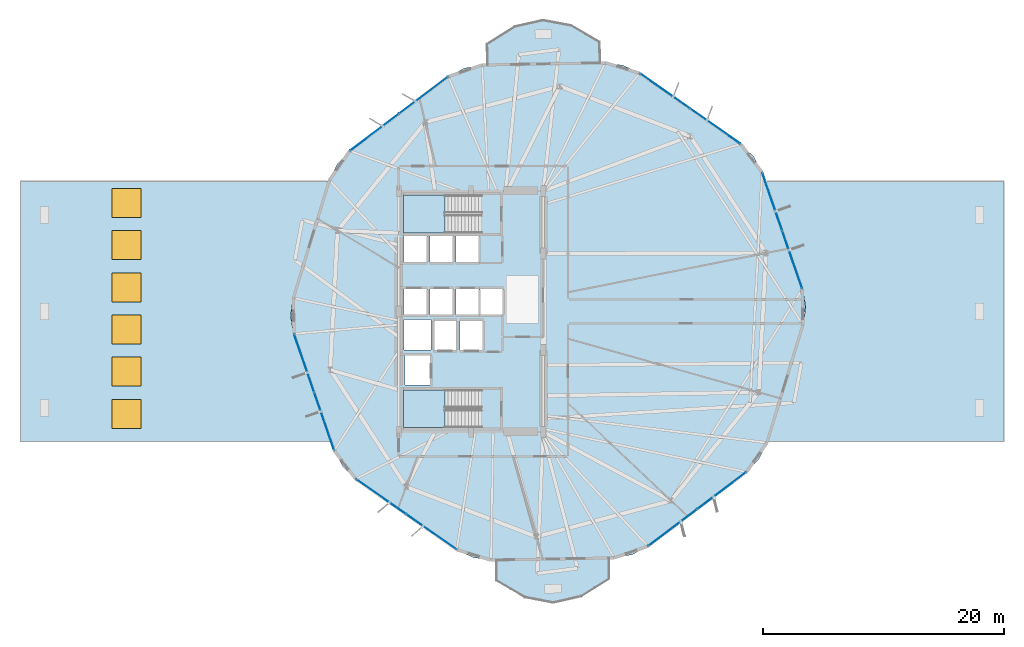
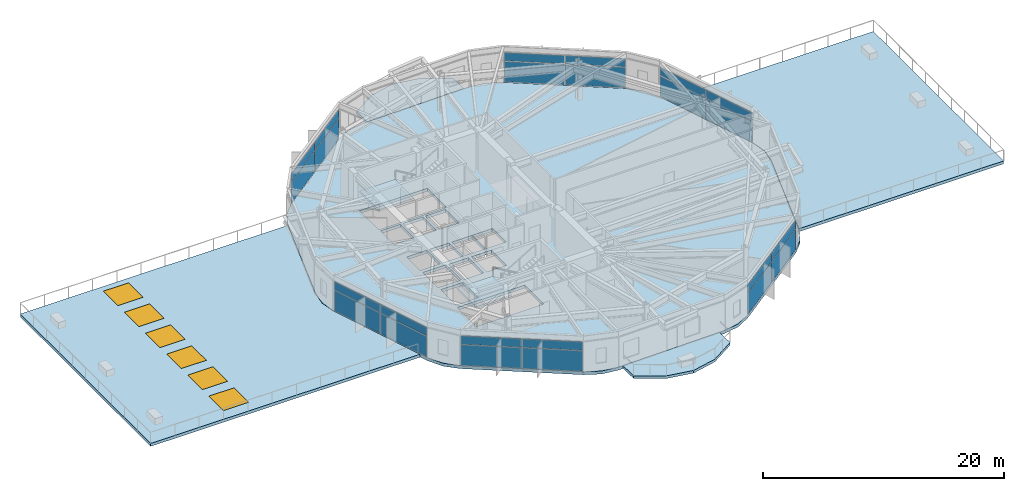
# One storey, part 16 of 23: 24 plates, 7 slabs, 6 windows, 6 openings, 8 elements without a shape of their own.
"""IFC4 building model written with IfcOpenShell, lengths in metres."""

from ifc_helpers import new_model, si_unit, direction, frame, origin, origin_2d, place, context, subcontext, project, spatial, polyline, rectangle, outline, extrude, material, layer, layer_set, type_object, element, fill, aggregate, save


model = new_model("IFC4")

# Units and contexts
model_context = context("Model", 3, precision=1e-05, world=origin(), true_north=direction((0.0, 1.0)))
body_context = subcontext(model_context, "Body", "Model", "MODEL_VIEW")
ifc_project = project(units=[si_unit("LENGTHUNIT", "METRE"), si_unit("AREAUNIT", "SQUARE_METRE"), si_unit("VOLUMEUNIT", "CUBIC_METRE"), si_unit("PLANEANGLEUNIT", "RADIAN"), si_unit("MASSUNIT", "GRAM", prefix="KILO")], contexts=[model_context])

# Site, building, storey
site_placement = place(None, origin())
site = spatial("IfcSite", under=ifc_project, at=site_placement, CompositionType="ELEMENT")
building_placement = place(site_placement, origin())
building = spatial("IfcBuilding", under=site, at=building_placement, Name="Soratama Intermodal Tower", CompositionType="ELEMENT")
storey_placement = place(building_placement, frame((0.0, 0.0, 30.60009765625)))
storey = spatial("IfcBuildingStorey", under=building, at=storey_placement, Name="L06", CompositionType="ELEMENT", Elevation=30.60009765625)

# Curtain wall, plates
ifc_material_1 = material(Name="Double-glazed aluminium curtain wall", Category="aluminium")
ifc_layer_1 = layer(ifc_material_1, 0.159912109375)
ifc_layer_set_1 = layer_set([ifc_layer_1], Name="Double-glazed aluminium curtain wall")
curtain_wall_type = type_object("IfcCurtainWallType", Name="CW-SYS-2", PredefinedType="NOTDEFINED", material=ifc_layer_set_1)
curtain_wall_1_placement = place(storey_placement, origin())
curtain_wall_1 = element("IfcCurtainWall", 1, at=curtain_wall_1_placement, inside=storey, type_object=curtain_wall_type, Name="L06 Faceted Curtain Wall F01", PredefinedType="NOTDEFINED")
ifc_material_2 = material(Name="Low-E laminated double glazing", Category="glass")
ifc_layer_2 = layer(ifc_material_2, 0.031982421875)
ifc_layer_set_2 = layer_set([ifc_layer_2], Name="Low-E laminated double glazing")
plate_type = type_object("IfcPlateType", Name="PT-CWP-2", PredefinedType="CURTAIN_PANEL", material=ifc_layer_set_2)
plate_1_placement = place(storey_placement, frame((65.25, 29.291015625, 0.059814453125), z_axis=(0.0, 0.0, 1.0), x_axis=(-0.325894283296, 0.945406217514, 0.0)))
plate_1 = element("IfcPlate", 2, at=plate_1_placement, type_object=plate_type, Name="CW-2 panel 1.1", PredefinedType="CURTAIN_PANEL", context=body_context, shape_type="SweptSolid", body=[
    extrude(rectangle(XDim=5.025146484375, YDim=0.028076171875, at=origin_2d()), origin(), (0.0, 0.0, 1.0), 2.06005859375),
])
plate_2_placement = place(storey_placement, frame((65.25, 29.291015625, 2.1796875), z_axis=(0.0, 0.0, 1.0), x_axis=(-0.325894283296, 0.945406217514, 0.0)))
plate_2 = element("IfcPlate", 3, at=plate_2_placement, type_object=plate_type, Name="CW-2 panel 1.2", PredefinedType="CURTAIN_PANEL", context=body_context, shape_type="SweptSolid", body=[
    extrude(rectangle(XDim=5.025146484375, YDim=0.028076171875, at=origin_2d()), origin(), (0.0, 0.0, 1.0), 0.839111328125),
])
plate_3_placement = place(storey_placement, frame((63.5927734375, 34.0986328125, 0.059814453125), z_axis=(0.0, 0.0, 1.0), x_axis=(-0.325894283296, 0.945406217514, 0.0)))
plate_3 = element("IfcPlate", 4, at=plate_3_placement, type_object=plate_type, Name="CW-2 panel 2.1", PredefinedType="CURTAIN_PANEL", context=body_context, shape_type="SweptSolid", body=[
    extrude(rectangle(XDim=5.025146484375, YDim=0.028076171875, at=origin_2d()), origin(), (0.0, 0.0, 1.0), 2.06005859375),
])
plate_4_placement = place(storey_placement, frame((63.5927734375, 34.0986328125, 2.1796875), z_axis=(0.0, 0.0, 1.0), x_axis=(-0.325894283296, 0.945406217514, 0.0)))
plate_4 = element("IfcPlate", 5, at=plate_4_placement, type_object=plate_type, Name="CW-2 panel 2.2", PredefinedType="CURTAIN_PANEL", context=body_context, shape_type="SweptSolid", body=[
    extrude(rectangle(XDim=5.025146484375, YDim=0.028076171875, at=origin_2d()), origin(), (0.0, 0.0, 1.0), 0.839111328125),
])
aggregate(curtain_wall_1, [plate_1, plate_2, plate_3, plate_4])

curtain_wall_2_placement = place(storey_placement, origin())
curtain_wall_2 = element("IfcCurtainWall", 6, at=curtain_wall_2_placement, inside=storey, type_object=curtain_wall_type, Name="L06 Faceted Curtain Wall F02", PredefinedType="NOTDEFINED")
plate_5_placement = place(storey_placement, frame((58.8603515625, 40.374267578125, 0.059814453125), z_axis=(0.0, 0.0, 1.0), x_axis=(-0.819348545893, 0.573295700615, 0.0)))
plate_5 = element("IfcPlate", 7, at=plate_5_placement, type_object=plate_type, Name="CW-2 panel 1.1", PredefinedType="CURTAIN_PANEL", context=body_context, shape_type="SweptSolid", body=[
    extrude(rectangle(XDim=5.025146484375, YDim=0.028076171875, at=origin_2d()), origin(), (0.0, 0.0, 1.0), 2.06005859375),
])
plate_6_placement = place(storey_placement, frame((58.8603515625, 40.374267578125, 2.1796875), z_axis=(0.0, 0.0, 1.0), x_axis=(-0.819348545893, 0.573295700615, 0.0)))
plate_6 = element("IfcPlate", 8, at=plate_6_placement, type_object=plate_type, Name="CW-2 panel 1.2", PredefinedType="CURTAIN_PANEL", context=body_context, shape_type="SweptSolid", body=[
    extrude(rectangle(XDim=5.025146484375, YDim=0.028076171875, at=origin_2d()), origin(), (0.0, 0.0, 1.0), 0.839111328125),
])
plate_7_placement = place(storey_placement, frame((54.69384765625, 43.28955078125, 0.059814453125), z_axis=(0.0, 0.0, 1.0), x_axis=(-0.819348545893, 0.573295700615, 0.0)))
plate_7 = element("IfcPlate", 9, at=plate_7_placement, type_object=plate_type, Name="CW-2 panel 2.1", PredefinedType="CURTAIN_PANEL", context=body_context, shape_type="SweptSolid", body=[
    extrude(rectangle(XDim=5.025146484375, YDim=0.028076171875, at=origin_2d()), origin(), (0.0, 0.0, 1.0), 2.06005859375),
])
plate_8_placement = place(storey_placement, frame((54.69384765625, 43.28955078125, 2.1796875), z_axis=(0.0, 0.0, 1.0), x_axis=(-0.819348545893, 0.573295700615, 0.0)))
plate_8 = element("IfcPlate", 10, at=plate_8_placement, type_object=plate_type, Name="CW-2 panel 2.2", PredefinedType="CURTAIN_PANEL", context=body_context, shape_type="SweptSolid", body=[
    extrude(rectangle(XDim=5.025146484375, YDim=0.028076171875, at=origin_2d()), origin(), (0.0, 0.0, 1.0), 0.839111328125),
])
aggregate(curtain_wall_2, [plate_5, plate_6, plate_7, plate_8])

curtain_wall_3_placement = place(storey_placement, origin())
curtain_wall_3 = element("IfcCurtainWall", 11, at=curtain_wall_3_placement, inside=storey, type_object=curtain_wall_type, Name="L06 Faceted Curtain Wall F04", PredefinedType="NOTDEFINED")
plate_9_placement = place(storey_placement, frame((34.661376953125, 42.932861328125, 0.059814453125), z_axis=(0.0, 0.0, 1.0), x_axis=(-0.798427816142, -0.602090543366, 0.0)))
plate_9 = element("IfcPlate", 12, at=plate_9_placement, type_object=plate_type, Name="CW-2 panel 1.1", PredefinedType="CURTAIN_PANEL", context=body_context, shape_type="SweptSolid", body=[
    extrude(rectangle(XDim=5.025146484375, YDim=0.028076171875, at=origin_2d()), origin(), (0.0, 0.0, 1.0), 2.06005859375),
])
plate_10_placement = place(storey_placement, frame((34.661376953125, 42.932861328125, 2.1796875), z_axis=(0.0, 0.0, 1.0), x_axis=(-0.798427816142, -0.602090543366, 0.0)))
plate_10 = element("IfcPlate", 13, at=plate_10_placement, type_object=plate_type, Name="CW-2 panel 1.2", PredefinedType="CURTAIN_PANEL", context=body_context, shape_type="SweptSolid", body=[
    extrude(rectangle(XDim=5.025146484375, YDim=0.028076171875, at=origin_2d()), origin(), (0.0, 0.0, 1.0), 0.839111328125),
])
plate_11_placement = place(storey_placement, frame((30.601318359375, 39.87109375, 0.059814453125), z_axis=(0.0, 0.0, 1.0), x_axis=(-0.798427816142, -0.602090543366, 0.0)))
plate_11 = element("IfcPlate", 14, at=plate_11_placement, type_object=plate_type, Name="CW-2 panel 2.1", PredefinedType="CURTAIN_PANEL", context=body_context, shape_type="SweptSolid", body=[
    extrude(rectangle(XDim=5.025146484375, YDim=0.028076171875, at=origin_2d()), origin(), (0.0, 0.0, 1.0), 2.06005859375),
])
plate_12_placement = place(storey_placement, frame((30.601318359375, 39.87109375, 2.1796875), z_axis=(0.0, 0.0, 1.0), x_axis=(-0.798427816142, -0.602090543366, 0.0)))
plate_12 = element("IfcPlate", 15, at=plate_12_placement, type_object=plate_type, Name="CW-2 panel 2.2", PredefinedType="CURTAIN_PANEL", context=body_context, shape_type="SweptSolid", body=[
    extrude(rectangle(XDim=5.025146484375, YDim=0.028076171875, at=origin_2d()), origin(), (0.0, 0.0, 1.0), 0.839111328125),
])
aggregate(curtain_wall_3, [plate_9, plate_10, plate_11, plate_12])

curtain_wall_4_placement = place(storey_placement, origin())
curtain_wall_4 = element("IfcCurtainWall", 16, at=curtain_wall_4_placement, inside=storey, type_object=curtain_wall_type, Name="L06 Faceted Curtain Wall F06", PredefinedType="NOTDEFINED")
plate_13_placement = place(storey_placement, frame((24.75, 20.708984375, 0.059814453125), z_axis=(0.0, 0.0, 1.0), x_axis=(0.325894283296, -0.945406217514, 0.0)))
plate_13 = element("IfcPlate", 17, at=plate_13_placement, type_object=plate_type, Name="CW-2 panel 1.1", PredefinedType="CURTAIN_PANEL", context=body_context, shape_type="SweptSolid", body=[
    extrude(rectangle(XDim=5.025146484375, YDim=0.028076171875, at=origin_2d()), origin(), (0.0, 0.0, 1.0), 2.06005859375),
])
plate_14_placement = place(storey_placement, frame((24.75, 20.708984375, 2.1796875), z_axis=(0.0, 0.0, 1.0), x_axis=(0.325894283296, -0.945406217514, 0.0)))
plate_14 = element("IfcPlate", 18, at=plate_14_placement, type_object=plate_type, Name="CW-2 panel 1.2", PredefinedType="CURTAIN_PANEL", context=body_context, shape_type="SweptSolid", body=[
    extrude(rectangle(XDim=5.025146484375, YDim=0.028076171875, at=origin_2d()), origin(), (0.0, 0.0, 1.0), 0.839111328125),
])
plate_15_placement = place(storey_placement, frame((26.4072265625, 15.9013671875, 0.059814453125), z_axis=(0.0, 0.0, 1.0), x_axis=(0.325894283296, -0.945406217514, 0.0)))
plate_15 = element("IfcPlate", 19, at=plate_15_placement, type_object=plate_type, Name="CW-2 panel 2.1", PredefinedType="CURTAIN_PANEL", context=body_context, shape_type="SweptSolid", body=[
    extrude(rectangle(XDim=5.025146484375, YDim=0.028076171875, at=origin_2d()), origin(), (0.0, 0.0, 1.0), 2.06005859375),
])
plate_16_placement = place(storey_placement, frame((26.4072265625, 15.9013671875, 2.1796875), z_axis=(0.0, 0.0, 1.0), x_axis=(0.325894283296, -0.945406217514, 0.0)))
plate_16 = element("IfcPlate", 20, at=plate_16_placement, type_object=plate_type, Name="CW-2 panel 2.2", PredefinedType="CURTAIN_PANEL", context=body_context, shape_type="SweptSolid", body=[
    extrude(rectangle(XDim=5.025146484375, YDim=0.028076171875, at=origin_2d()), origin(), (0.0, 0.0, 1.0), 0.839111328125),
])
aggregate(curtain_wall_4, [plate_13, plate_14, plate_15, plate_16])

curtain_wall_5_placement = place(storey_placement, origin())
curtain_wall_5 = element("IfcCurtainWall", 21, at=curtain_wall_5_placement, inside=storey, type_object=curtain_wall_type, Name="L06 Faceted Curtain Wall F07", PredefinedType="NOTDEFINED")
plate_17_placement = place(storey_placement, frame((31.1396484375, 9.625732421875, 0.059814453125), z_axis=(0.0, 0.0, 1.0), x_axis=(0.819348545893, -0.573295700615, 0.0)))
plate_17 = element("IfcPlate", 22, at=plate_17_placement, type_object=plate_type, Name="CW-2 panel 1.1", PredefinedType="CURTAIN_PANEL", context=body_context, shape_type="SweptSolid", body=[
    extrude(rectangle(XDim=5.025146484375, YDim=0.028076171875, at=origin_2d()), origin(), (0.0, 0.0, 1.0), 2.06005859375),
])
plate_18_placement = place(storey_placement, frame((31.1396484375, 9.625732421875, 2.1796875), z_axis=(0.0, 0.0, 1.0), x_axis=(0.819348545893, -0.573295700615, 0.0)))
plate_18 = element("IfcPlate", 23, at=plate_18_placement, type_object=plate_type, Name="CW-2 panel 1.2", PredefinedType="CURTAIN_PANEL", context=body_context, shape_type="SweptSolid", body=[
    extrude(rectangle(XDim=5.025146484375, YDim=0.028076171875, at=origin_2d()), origin(), (0.0, 0.0, 1.0), 0.839111328125),
])
plate_19_placement = place(storey_placement, frame((35.30615234375, 6.71044921875, 0.059814453125), z_axis=(0.0, 0.0, 1.0), x_axis=(0.819348545893, -0.573295700615, 0.0)))
plate_19 = element("IfcPlate", 24, at=plate_19_placement, type_object=plate_type, Name="CW-2 panel 2.1", PredefinedType="CURTAIN_PANEL", context=body_context, shape_type="SweptSolid", body=[
    extrude(rectangle(XDim=5.025146484375, YDim=0.028076171875, at=origin_2d()), origin(), (0.0, 0.0, 1.0), 2.06005859375),
])
plate_20_placement = place(storey_placement, frame((35.30615234375, 6.71044921875, 2.1796875), z_axis=(0.0, 0.0, 1.0), x_axis=(0.819348545893, -0.573295700615, 0.0)))
plate_20 = element("IfcPlate", 25, at=plate_20_placement, type_object=plate_type, Name="CW-2 panel 2.2", PredefinedType="CURTAIN_PANEL", context=body_context, shape_type="SweptSolid", body=[
    extrude(rectangle(XDim=5.025146484375, YDim=0.028076171875, at=origin_2d()), origin(), (0.0, 0.0, 1.0), 0.839111328125),
])
aggregate(curtain_wall_5, [plate_17, plate_18, plate_19, plate_20])

curtain_wall_6_placement = place(storey_placement, origin())
curtain_wall_6 = element("IfcCurtainWall", 26, at=curtain_wall_6_placement, inside=storey, type_object=curtain_wall_type, Name="L06 Faceted Curtain Wall F09", PredefinedType="NOTDEFINED")
plate_21_placement = place(storey_placement, frame((55.338623046875, 7.067138671875, 0.059814453125), z_axis=(0.0, 0.0, 1.0), x_axis=(0.798427816142, 0.602090543366, 0.0)))
plate_21 = element("IfcPlate", 27, at=plate_21_placement, type_object=plate_type, Name="CW-2 panel 1.1", PredefinedType="CURTAIN_PANEL", context=body_context, shape_type="SweptSolid", body=[
    extrude(rectangle(XDim=5.025146484375, YDim=0.028076171875, at=origin_2d()), origin(), (0.0, 0.0, 1.0), 2.06005859375),
])
plate_22_placement = place(storey_placement, frame((55.338623046875, 7.067138671875, 2.1796875), z_axis=(0.0, 0.0, 1.0), x_axis=(0.798427816142, 0.602090543366, 0.0)))
plate_22 = element("IfcPlate", 28, at=plate_22_placement, type_object=plate_type, Name="CW-2 panel 1.2", PredefinedType="CURTAIN_PANEL", context=body_context, shape_type="SweptSolid", body=[
    extrude(rectangle(XDim=5.025146484375, YDim=0.028076171875, at=origin_2d()), origin(), (0.0, 0.0, 1.0), 0.839111328125),
])
plate_23_placement = place(storey_placement, frame((59.398681640625, 10.12890625, 0.059814453125), z_axis=(0.0, 0.0, 1.0), x_axis=(0.798427816142, 0.602090543366, 0.0)))
plate_23 = element("IfcPlate", 29, at=plate_23_placement, type_object=plate_type, Name="CW-2 panel 2.1", PredefinedType="CURTAIN_PANEL", context=body_context, shape_type="SweptSolid", body=[
    extrude(rectangle(XDim=5.025146484375, YDim=0.028076171875, at=origin_2d()), origin(), (0.0, 0.0, 1.0), 2.06005859375),
])
plate_24_placement = place(storey_placement, frame((59.398681640625, 10.12890625, 2.1796875), z_axis=(0.0, 0.0, 1.0), x_axis=(0.798427816142, 0.602090543366, 0.0)))
plate_24 = element("IfcPlate", 30, at=plate_24_placement, type_object=plate_type, Name="CW-2 panel 2.2", PredefinedType="CURTAIN_PANEL", context=body_context, shape_type="SweptSolid", body=[
    extrude(rectangle(XDim=5.025146484375, YDim=0.028076171875, at=origin_2d()), origin(), (0.0, 0.0, 1.0), 0.839111328125),
])
aggregate(curtain_wall_6, [plate_21, plate_22, plate_23, plate_24])

# Slabs
ifc_material_3 = material(Name="Concrete f'c 42 MPa", Category="concrete")
ifc_layer_3 = layer(ifc_material_3, 0.27001953125)
ifc_layer_set_3 = layer_set([ifc_layer_3], Name="Concrete f'c 42 MPa")
slab_type_1 = type_object("IfcSlabType", Name="SL-EXT-BAL1", PredefinedType="FLOOR", material=ifc_layer_set_3)
slab_1_placement = place(storey_placement, frame((0.0, 0.0, -0.27001953125)))
element("IfcSlab", 31, at=slab_1_placement, inside=storey, type_object=slab_type_1, Name="L06 Planted Balcony North 1", PredefinedType="FLOOR", context=body_context, shape_type="SweptSolid", body=[
    extrude(outline(polyline([(49.298828125, 45.62255859375), (39.969970703125, 45.45654296875), (39.939208984375, 47.17626953125), (42.246337890625, 48.6328125), (44.56982421875, 49.158935546875), (46.910888671875, 48.7158203125), (49.268310546875, 47.34228515625), (49.298828125, 45.62255859375)])), origin(), (0.0, 0.0, 1.0), 0.27001953125),
])
slab_2_placement = place(storey_placement, frame((0.0, 0.0, -0.27001953125)))
element("IfcSlab", 32, at=slab_2_placement, inside=storey, type_object=slab_type_1, Name="L06 Planted Balcony South 2", PredefinedType="FLOOR", context=body_context, shape_type="SweptSolid", body=[
    extrude(outline(polyline([(40.701171875, 4.37744140625), (50.030029296875, 4.54345703125), (50.060791015625, 2.82373046875), (47.753662109375, 1.3671875), (45.43017578125, 0.841064453125), (43.089111328125, 1.2841796875), (40.731689453125, 2.65771484375), (40.701171875, 4.37744140625)])), origin(), (0.0, 0.0, 1.0), 0.27001953125),
])

# Slab, openings, windows
ifc_material_4 = material(Name="Concrete f'c 42 MPa", Category="concrete")
ifc_layer_4 = layer(ifc_material_4, 0.300048828125)
ifc_layer_set_4 = layer_set([ifc_layer_4], Name="Concrete f'c 42 MPa")
slab_type_2 = type_object("IfcSlabType", Name="SL-EXT-TERR", PredefinedType="FLOOR", material=ifc_layer_set_4)
slab_3_placement = place(storey_placement, frame((0.0, 0.0, -0.300048828125)))
slab_3 = element("IfcSlab", 33, at=slab_3_placement, inside=storey, type_object=slab_type_2, Name="L06 West Podium Roof Terrace", PredefinedType="FLOOR", context=body_context, shape_type="SweptSolid", body=[
    extrude(outline(polyline([(26.97265625, 14.199951171875), (23.89208984375, 23.137451171875), (23.630615234375, 24.622802734375), (23.83984375, 26.11279296875), (26.797607421875, 35.800048828125), (1.199951171875, 35.800048828125), (1.199951171875, 14.199951171875), (26.97265625, 14.199951171875)])), origin(), (0.0, 0.0, 1.0), 0.300048828125),
])
opening_1_placement = place(slab_3_placement, frame((10.0, 16.5, 0.0)))
opening_1 = element("IfcOpeningElement", 34, at=opening_1_placement, cuts=slab_3, Name="Opening SK-1", PredefinedType="OPENING", context=body_context, shape_type="SweptSolid", body=[
    extrude(rectangle(XDim=2.39990234375, YDim=2.39990234375, at=origin_2d()), origin(), (0.0, 0.0, 1.0), 0.300048828125),
])
opening_2_placement = place(slab_3_placement, frame((10.0, 20.0, 0.0)))
opening_2 = element("IfcOpeningElement", 35, at=opening_2_placement, cuts=slab_3, Name="Opening SK-1", PredefinedType="OPENING", context=body_context, shape_type="SweptSolid", body=[
    extrude(rectangle(XDim=2.39990234375, YDim=2.39990234375, at=origin_2d()), origin(), (0.0, 0.0, 1.0), 0.300048828125),
])
opening_3_placement = place(slab_3_placement, frame((10.0, 23.5, 0.0)))
opening_3 = element("IfcOpeningElement", 36, at=opening_3_placement, cuts=slab_3, Name="Opening SK-1", PredefinedType="OPENING", context=body_context, shape_type="SweptSolid", body=[
    extrude(rectangle(XDim=2.39990234375, YDim=2.39990234375, at=origin_2d()), origin(), (0.0, 0.0, 1.0), 0.300048828125),
])
opening_4_placement = place(slab_3_placement, frame((10.0, 27.0, 0.0)))
opening_4 = element("IfcOpeningElement", 37, at=opening_4_placement, cuts=slab_3, Name="Opening SK-1", PredefinedType="OPENING", context=body_context, shape_type="SweptSolid", body=[
    extrude(rectangle(XDim=2.39990234375, YDim=2.39990234375, at=origin_2d()), origin(), (0.0, 0.0, 1.0), 0.300048828125),
])
opening_5_placement = place(slab_3_placement, frame((10.0, 30.5, 0.0)))
opening_5 = element("IfcOpeningElement", 38, at=opening_5_placement, cuts=slab_3, Name="Opening SK-1", PredefinedType="OPENING", context=body_context, shape_type="SweptSolid", body=[
    extrude(rectangle(XDim=2.39990234375, YDim=2.39990234375, at=origin_2d()), origin(), (0.0, 0.0, 1.0), 0.300048828125),
])
opening_6_placement = place(slab_3_placement, frame((10.0, 34.0, 0.0)))
opening_6 = element("IfcOpeningElement", 39, at=opening_6_placement, cuts=slab_3, Name="Opening SK-1", PredefinedType="OPENING", context=body_context, shape_type="SweptSolid", body=[
    extrude(rectangle(XDim=2.39990234375, YDim=2.39990234375, at=origin_2d()), origin(), (0.0, 0.0, 1.0), 0.300048828125),
])
ifc_material_5 = material(Name="Double-glazed aluminium window", Category="aluminium")
window_type = type_object("IfcWindowType", Name="WN-SKY-2400", PartitioningType="SINGLE_PANEL", PredefinedType="SKYLIGHT", material=ifc_material_5)
window_1_placement = place(opening_1_placement, frame((0.0, 0.0, 0.25)))
window_1 = element("IfcWindow", 40, at=window_1_placement, inside=storey, type_object=window_type, Name="L06 Station Skylight 1", OverallHeight=2.39990234375, OverallWidth=2.39990234375, PartitioningType="SINGLE_PANEL", PredefinedType="SKYLIGHT", context=body_context, shape_type="SweptSolid", body=[
    extrude(rectangle(XDim=2.39990234375, YDim=2.39990234375, at=origin_2d()), origin(), (0.0, 0.0, 1.0), 0.050048828125),
])
fill(opening_1, window_1)
window_2_placement = place(opening_2_placement, frame((0.0, 0.0, 0.25)))
window_2 = element("IfcWindow", 41, at=window_2_placement, inside=storey, type_object=window_type, Name="L06 Station Skylight 2", OverallHeight=2.39990234375, OverallWidth=2.39990234375, PartitioningType="SINGLE_PANEL", PredefinedType="SKYLIGHT", context=body_context, shape_type="SweptSolid", body=[
    extrude(rectangle(XDim=2.39990234375, YDim=2.39990234375, at=origin_2d()), origin(), (0.0, 0.0, 1.0), 0.050048828125),
])
fill(opening_2, window_2)
window_3_placement = place(opening_3_placement, frame((0.0, 0.0, 0.25)))
window_3 = element("IfcWindow", 42, at=window_3_placement, inside=storey, type_object=window_type, Name="L06 Station Skylight 3", OverallHeight=2.39990234375, OverallWidth=2.39990234375, PartitioningType="SINGLE_PANEL", PredefinedType="SKYLIGHT", context=body_context, shape_type="SweptSolid", body=[
    extrude(rectangle(XDim=2.39990234375, YDim=2.39990234375, at=origin_2d()), origin(), (0.0, 0.0, 1.0), 0.050048828125),
])
fill(opening_3, window_3)
window_4_placement = place(opening_4_placement, frame((0.0, 0.0, 0.25)))
window_4 = element("IfcWindow", 43, at=window_4_placement, inside=storey, type_object=window_type, Name="L06 Station Skylight 4", OverallHeight=2.39990234375, OverallWidth=2.39990234375, PartitioningType="SINGLE_PANEL", PredefinedType="SKYLIGHT", context=body_context, shape_type="SweptSolid", body=[
    extrude(rectangle(XDim=2.39990234375, YDim=2.39990234375, at=origin_2d()), origin(), (0.0, 0.0, 1.0), 0.050048828125),
])
fill(opening_4, window_4)
window_5_placement = place(opening_5_placement, frame((0.0, 0.0, 0.25)))
window_5 = element("IfcWindow", 44, at=window_5_placement, inside=storey, type_object=window_type, Name="L06 Station Skylight 5", OverallHeight=2.39990234375, OverallWidth=2.39990234375, PartitioningType="SINGLE_PANEL", PredefinedType="SKYLIGHT", context=body_context, shape_type="SweptSolid", body=[
    extrude(rectangle(XDim=2.39990234375, YDim=2.39990234375, at=origin_2d()), origin(), (0.0, 0.0, 1.0), 0.050048828125),
])
fill(opening_5, window_5)
window_6_placement = place(opening_6_placement, frame((0.0, 0.0, 0.25)))
window_6 = element("IfcWindow", 45, at=window_6_placement, inside=storey, type_object=window_type, Name="L06 Station Skylight 6", OverallHeight=2.39990234375, OverallWidth=2.39990234375, PartitioningType="SINGLE_PANEL", PredefinedType="SKYLIGHT", context=body_context, shape_type="SweptSolid", body=[
    extrude(rectangle(XDim=2.39990234375, YDim=2.39990234375, at=origin_2d()), origin(), (0.0, 0.0, 1.0), 0.050048828125),
])
fill(opening_6, window_6)

# Slab
slab_4_placement = place(storey_placement, frame((0.0, 0.0, -0.300048828125)))
element("IfcSlab", 46, at=slab_4_placement, inside=storey, type_object=slab_type_2, Name="L06 East Podium Roof Terrace", PredefinedType="FLOOR", context=body_context, shape_type="SweptSolid", body=[
    extrude(outline(polyline([(63.02734375, 35.800048828125), (66.10791015625, 26.862548828125), (66.369384765625, 25.377197265625), (66.16015625, 23.88720703125), (63.202392578125, 14.199951171875), (82.800048828125, 14.199951171875), (82.800048828125, 35.800048828125), (63.02734375, 35.800048828125)])), origin(), (0.0, 0.0, 1.0), 0.300048828125),
])

# Stair, slab
ifc_material_6 = material(Name="Concrete f'c 42 MPa", Category="concrete")
stair_type = type_object("IfcStairType", Name="ST-CORE-DOGLEG", PredefinedType="HALF_TURN_STAIR", material=ifc_material_6)
stair_1_placement = place(storey_placement, origin())
stair_1 = element("IfcStair", 47, at=stair_1_placement, inside=storey, type_object=stair_type, Name="L06 ST-1", PredefinedType="HALF_TURN_STAIR")
ifc_material_7 = material(Name="Concrete f'c 42 MPa", Category="concrete")
ifc_layer_5 = layer(ifc_material_7, 0.219970703125)
ifc_layer_set_5 = layer_set([ifc_layer_5], Name="Concrete f'c 42 MPa")
slab_type_3 = type_object("IfcSlabType", Name="SL-STAIR-LAND", PredefinedType="LANDING", material=ifc_layer_set_5)
slab_5_placement = place(storey_placement, frame((0.0, 0.0, 1.7998046875)))
slab_5 = element("IfcSlab", 48, at=slab_5_placement, type_object=slab_type_3, Name="ST-1 landing 1", PredefinedType="LANDING", context=body_context, shape_type="SweptSolid", body=[
    extrude(outline(polyline([(36.419921875, 18.5), (33.0, 18.5), (33.0, 15.35009765625), (36.419921875, 15.35009765625), (36.419921875, 18.5)])), origin(), (0.0, 0.0, 1.0), 0.2001953125),
])
aggregate(stair_1, [slab_5])

stair_2_placement = place(storey_placement, origin())
stair_2 = element("IfcStair", 49, at=stair_2_placement, inside=storey, type_object=stair_type, Name="L06 ST-2", PredefinedType="HALF_TURN_STAIR")
slab_6_placement = place(storey_placement, frame((0.0, 0.0, 1.7998046875)))
slab_6 = element("IfcSlab", 50, at=slab_6_placement, type_object=slab_type_3, Name="ST-2 landing 1", PredefinedType="LANDING", context=body_context, shape_type="SweptSolid", body=[
    extrude(outline(polyline([(36.419921875, 34.64990234375), (33.0, 34.64990234375), (33.0, 31.5), (36.419921875, 31.5), (36.419921875, 34.64990234375)])), origin(), (0.0, 0.0, 1.0), 0.2001953125),
])
aggregate(stair_2, [slab_6])

# Slab
ifc_material_8 = material(Name="Concrete f'c 42 MPa", Category="concrete")
ifc_layer_6 = layer(ifc_material_8, 0.280029296875)
ifc_layer_set_6 = layer_set([ifc_layer_6], Name="Concrete f'c 42 MPa")
slab_type_4 = type_object("IfcSlabType", Name="SL-TWR-280", PredefinedType="FLOOR", material=ifc_layer_set_6)
slab_7_placement = place(storey_placement, frame((0.0, 0.0, -0.300048828125)))
element("IfcSlab", 51, at=slab_7_placement, inside=storey, type_object=slab_type_4, Name="L06 Structural Floor Slab", PredefinedType="FLOOR", context=body_context, shape_type="SweptSolid", body=[
    extrude(outline(polyline([(66.14111328125, 23.892822265625), (66.349609375, 25.380126953125), (66.08837890625, 26.85888671875), (62.75439453125, 36.53076171875), (62.048828125, 37.8564453125), (60.968017578125, 38.8994140625), (52.5859375, 44.764404296875), (51.23583984375, 45.422119140625), (49.748779296875, 45.630615234375), (39.52001953125, 45.448486328125), (38.041015625, 45.187255859375), (36.71533203125, 44.481689453125), (28.547119140625, 38.322021484375), (27.50439453125, 37.241455078125), (26.846435546875, 35.891357421875), (23.85888671875, 26.107177734375), (23.650390625, 24.619873046875), (23.91162109375, 23.14111328125), (27.24560546875, 13.46923828125), (27.951171875, 12.1435546875), (29.031982421875, 11.1005859375), (37.4140625, 5.235595703125), (38.76416015625, 4.577880859375), (40.251220703125, 4.369384765625), (50.47998046875, 4.551513671875), (51.958984375, 4.812744140625), (53.28466796875, 5.518310546875), (61.452880859375, 11.677978515625), (62.49560546875, 12.758544921875), (63.153564453125, 14.108642578125), (66.14111328125, 23.892822265625)]), holes=[polyline([(33.0, 18.5), (33.0, 15.35009765625), (39.47509765625, 15.35009765625), (39.47509765625, 18.5), (33.0, 18.5)]), polyline([(35.260009765625, 18.889892578125), (35.260009765625, 21.409912109375), (33.139892578125, 21.409912109375), (33.139892578125, 18.889892578125), (35.260009765625, 18.889892578125)]), polyline([(33.050048828125, 21.800048828125), (35.280029296875, 21.800048828125), (35.280029296875, 24.320068359375), (33.050048828125, 24.320068359375), (33.050048828125, 21.800048828125)]), polyline([(34.9599609375, 26.909912109375), (33.0400390625, 26.909912109375), (33.0400390625, 24.68994140625), (34.9599609375, 24.68994140625), (34.9599609375, 26.909912109375)]), polyline([(37.110107421875, 24.68994140625), (37.110107421875, 26.909912109375), (35.18994140625, 26.909912109375), (35.18994140625, 24.68994140625), (37.110107421875, 24.68994140625)]), polyline([(34.9599609375, 29.0400390625), (34.9599609375, 31.260009765625), (33.0400390625, 31.260009765625), (33.0400390625, 29.0400390625), (34.9599609375, 29.0400390625)]), polyline([(37.110107421875, 31.260009765625), (35.18994140625, 31.260009765625), (35.18994140625, 29.0400390625), (37.110107421875, 29.0400390625), (37.110107421875, 31.260009765625)]), polyline([(37.409912109375, 21.739990234375), (37.409912109375, 24.260009765625), (35.489990234375, 24.260009765625), (35.489990234375, 21.739990234375), (37.409912109375, 21.739990234375)]), polyline([(39.610107421875, 21.739990234375), (39.610107421875, 24.260009765625), (37.68994140625, 24.260009765625), (37.68994140625, 21.739990234375), (39.610107421875, 21.739990234375)]), polyline([(39.260009765625, 24.68994140625), (39.260009765625, 26.909912109375), (37.340087890625, 26.909912109375), (37.340087890625, 24.68994140625), (39.260009765625, 24.68994140625)]), polyline([(41.260009765625, 24.68994140625), (41.260009765625, 26.909912109375), (39.340087890625, 26.909912109375), (39.340087890625, 24.68994140625), (41.260009765625, 24.68994140625)]), polyline([(39.260009765625, 29.0400390625), (39.260009765625, 31.260009765625), (37.340087890625, 31.260009765625), (37.340087890625, 29.0400390625), (39.260009765625, 29.0400390625)]), polyline([(39.47509765625, 34.64990234375), (33.0, 34.64990234375), (33.0, 31.5), (39.47509765625, 31.5), (39.47509765625, 34.64990234375)])]), origin(), (0.0, 0.0, 1.0), 0.300048828125),
])

save(model, "model.ifc")
